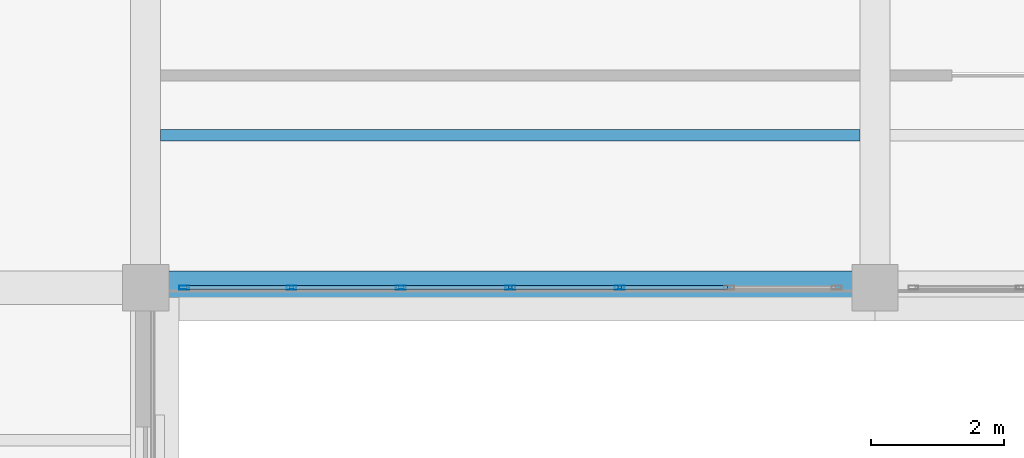
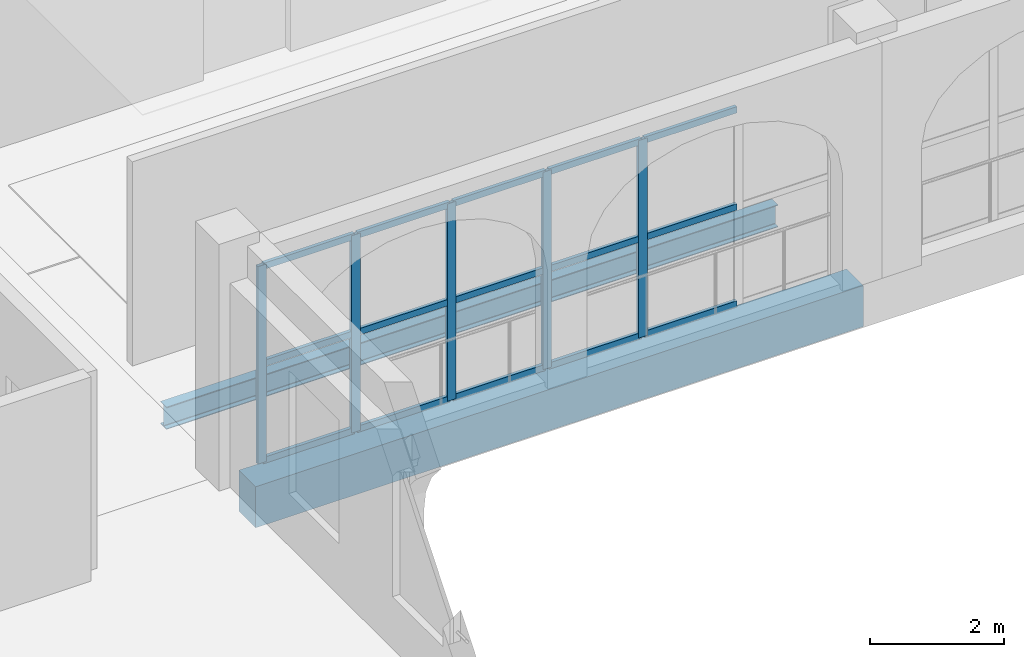
# One storey, part 49 of 156: 20 members, 2 beams, 1 element without a shape of its own.
"""IFC4 building model written with IfcOpenShell, lengths in metres."""

from ifc_helpers import new_model, si_unit, direction, frame, origin, origin_2d, place, context, subcontext, project, spatial, rectangle, hollow_rectangle, i_section, extrude, material, material_profile, profile_set, type_object, element, aggregate, save


model = new_model("IFC4")

# Units and contexts
model_context = context("Model", 3, precision=1e-05, world=origin(), true_north=direction((0.0, 1.0)))
body_context = subcontext(model_context, "Body", "Model", "MODEL_VIEW")
ifc_project = project(units=[si_unit("LENGTHUNIT", "METRE"), si_unit("AREAUNIT", "SQUARE_METRE"), si_unit("VOLUMEUNIT", "CUBIC_METRE"), si_unit("PLANEANGLEUNIT", "RADIAN"), si_unit("MASSUNIT", "GRAM", prefix="KILO")], contexts=[model_context])

# Site, building, storey
site_placement = place(None, origin())
site = spatial("IfcSite", under=ifc_project, at=site_placement, CompositionType="ELEMENT")
building_placement = place(site_placement, origin())
building = spatial("IfcBuilding", under=site, at=building_placement, Name="Caurita Quay Ferry Terminal", CompositionType="ELEMENT")
storey_placement = place(building_placement, frame((0.0, 0.0, 5.39990234375)))
storey = spatial("IfcBuildingStorey", under=building, at=storey_placement, Name="L01", CompositionType="ELEMENT", Elevation=5.39990234375)

# Beams
ifc_material_1 = material(Name="Structural steel ASTM A992 Gr. 50", Category="steel")
ifc_material_profile_1 = material_profile(ifc_material_1, i_section(OverallWidth=0.1787109375, OverallDepth=0.408935546875, WebThickness=0.0087890625, FlangeThickness=0.014404296875, FilletRadius=0.011474609375, at=origin_2d()), Name="W16X45")
ifc_profile_set_1 = profile_set([ifc_material_profile_1], Name="Structural steel ASTM A992 Gr. 50")
beam_type_1 = type_object("IfcBeamType", Name="BM-JS-W16A", PredefinedType="JOIST", material=ifc_profile_set_1)
beam_1_placement = place(storey_placement, frame((22.22509765625, 110.10009765625, -0.42431640625), z_axis=(1.0, 0.0, 0.0), x_axis=(0.0, 1.0, 0.0)))
element("IfcBeam", 1, at=beam_1_placement, inside=storey, type_object=beam_type_1, Name="L01 Beam JS-V5-L01-025", PredefinedType="JOIST", context=body_context, shape_type="SweptSolid", body=[
    extrude(i_section(OverallWidth=0.1787109375, OverallDepth=0.408935546875, WebThickness=0.0087890625, FlangeThickness=0.014404296875, FilletRadius=0.011474609375, at=origin_2d()), origin(), (0.0, 0.0, 1.0), 10.5498046875),
])
ifc_material_2 = material(Name="Reinforced concrete C35/45", Category="concrete")
ifc_material_profile_2 = material_profile(ifc_material_2, rectangle(XDim=0.5, YDim=0.75, at=origin_2d()), Name="RC-BM-500X750")
ifc_profile_set_2 = profile_set([ifc_material_profile_2], Name="Reinforced concrete C35/45")
beam_type_2 = type_object("IfcBeamType", Name="BM-RC-5075", PredefinedType="BEAM", material=ifc_profile_set_2)
beam_2_placement = place(storey_placement, frame((22.340087890625, 107.800048828125, -0.594970703125), z_axis=(1.0, 0.0, 0.0), x_axis=(0.0, 1.0, 0.0)))
element("IfcBeam", 2, at=beam_2_placement, inside=storey, type_object=beam_type_2, Name="L01 Beam BM-V5-L01-X-223-1078", PredefinedType="BEAM", context=body_context, shape_type="SweptSolid", body=[
    extrude(rectangle(XDim=0.5, YDim=0.75, at=origin_2d()), origin(), (0.0, 0.0, 1.0), 10.485107421875),
])

# Curtain wall, members
ifc_material_3 = material(Name="Laminated solar-control insulated glass", Category="glass")
curtain_wall_type = type_object("IfcCurtainWallType", Name="CW-SYS-23", PredefinedType="NOTDEFINED", material=ifc_material_3)
curtain_wall_placement = place(storey_placement, origin())
curtain_wall = element("IfcCurtainWall", 3, at=curtain_wall_placement, inside=storey, type_object=curtain_wall_type, Name="L01 Courtyard Cloister Storefront 160", PredefinedType="NOTDEFINED")
ifc_material_4 = material(Name="Anodized aluminium 6063-T6", Category="aluminium")
ifc_material_profile_3 = material_profile(ifc_material_4, hollow_rectangle(XDim=0.06005859375, YDim=0.14990234375, WallThickness=0.00341796875, at=origin_2d()), Name="ALU-MUL-60X150")
ifc_profile_set_3 = profile_set([ifc_material_profile_3], Name="Anodized aluminium 6063-T6")
member_type_1 = type_object("IfcMemberType", Name="CW-MUL-150", PredefinedType="MULLION", material=ifc_profile_set_3)
member_1_placement = place(storey_placement, frame((22.580078125, 107.800048828125, 0.0), z_axis=(0.0, 0.0, 1.0), x_axis=(0.0, 1.0, 0.0)))
member_1 = element("IfcMember", 4, at=member_1_placement, type_object=member_type_1, Name="CW-CRT-160 Mullion 1", PredefinedType="MULLION", context=body_context, shape_type="SweptSolid", body=[
    extrude(hollow_rectangle(XDim=0.06005859375, YDim=0.14990234375, WallThickness=0.00341796875, at=origin_2d()), origin(), (0.0, 0.0, 1.0), 3.60009765625),
])
member_2_placement = place(storey_placement, frame((24.199951171875, 107.800048828125, 0.0), z_axis=(0.0, 0.0, 1.0), x_axis=(0.0, 1.0, 0.0)))
member_2 = element("IfcMember", 5, at=member_2_placement, type_object=member_type_1, Name="CW-CRT-160 Mullion 2", PredefinedType="MULLION", context=body_context, shape_type="SweptSolid", body=[
    extrude(hollow_rectangle(XDim=0.06005859375, YDim=0.14990234375, WallThickness=0.00341796875, at=origin_2d()), origin(), (0.0, 0.0, 1.0), 3.60009765625),
])
member_3_placement = place(storey_placement, frame((25.85009765625, 107.800048828125, 0.0), z_axis=(0.0, 0.0, 1.0), x_axis=(0.0, 1.0, 0.0)))
member_3 = element("IfcMember", 6, at=member_3_placement, type_object=member_type_1, Name="CW-CRT-160 Mullion 3", PredefinedType="MULLION", context=body_context, shape_type="SweptSolid", body=[
    extrude(hollow_rectangle(XDim=0.06005859375, YDim=0.14990234375, WallThickness=0.00341796875, at=origin_2d()), origin(), (0.0, 0.0, 1.0), 3.60009765625),
])
member_4_placement = place(storey_placement, frame((27.5, 107.800048828125, 0.0), z_axis=(0.0, 0.0, 1.0), x_axis=(0.0, 1.0, 0.0)))
member_4 = element("IfcMember", 7, at=member_4_placement, type_object=member_type_1, Name="CW-CRT-160 Mullion 4", PredefinedType="MULLION", context=body_context, shape_type="SweptSolid", body=[
    extrude(hollow_rectangle(XDim=0.06005859375, YDim=0.14990234375, WallThickness=0.00341796875, at=origin_2d()), origin(), (0.0, 0.0, 1.0), 3.60009765625),
])
member_5_placement = place(storey_placement, frame((29.14990234375, 107.800048828125, 0.0), z_axis=(0.0, 0.0, 1.0), x_axis=(0.0, 1.0, 0.0)))
member_5 = element("IfcMember", 8, at=member_5_placement, type_object=member_type_1, Name="CW-CRT-160 Mullion 5", PredefinedType="MULLION", context=body_context, shape_type="SweptSolid", body=[
    extrude(hollow_rectangle(XDim=0.06005859375, YDim=0.14990234375, WallThickness=0.00341796875, at=origin_2d()), origin(), (0.0, 0.0, 1.0), 3.60009765625),
])
ifc_material_profile_4 = material_profile(ifc_material_4, hollow_rectangle(XDim=0.06005859375, YDim=0.114990234375, WallThickness=0.00341796875, at=origin_2d()), Name="ALU-TRN-60X115")
ifc_profile_set_4 = profile_set([ifc_material_profile_4], Name="Anodized aluminium 6063-T6")
member_type_2 = type_object("IfcMemberType", Name="CW-TRN-115", PredefinedType="USERDEFINED", material=ifc_profile_set_4)
member_6_placement = place(storey_placement, frame((22.60791015625, 107.800048828125, 0.030029296875), z_axis=(1.0, 0.0, 0.0), x_axis=(0.0, 1.0, 0.0)))
member_6 = element("IfcMember", 9, at=member_6_placement, type_object=member_type_2, Name="CW-CRT-160 Transom 1", ObjectType="TRANSOM", PredefinedType="USERDEFINED", context=body_context, shape_type="SweptSolid", body=[
    extrude(hollow_rectangle(XDim=0.06005859375, YDim=0.114990234375, WallThickness=0.00341796875, at=origin_2d()), origin(), (0.0, 0.0, 1.0), 1.564208984375),
])
member_7_placement = place(storey_placement, frame((22.60791015625, 107.800048828125, 1.800048828125), z_axis=(1.0, 0.0, 0.0), x_axis=(0.0, 1.0, 0.0)))
member_7 = element("IfcMember", 10, at=member_7_placement, type_object=member_type_2, Name="CW-CRT-160 Transom 2", ObjectType="TRANSOM", PredefinedType="USERDEFINED", context=body_context, shape_type="SweptSolid", body=[
    extrude(hollow_rectangle(XDim=0.06005859375, YDim=0.114990234375, WallThickness=0.00341796875, at=origin_2d()), origin(), (0.0, 0.0, 1.0), 1.564208984375),
])
member_8_placement = place(storey_placement, frame((22.60791015625, 107.800048828125, 3.570068359375), z_axis=(1.0, 0.0, 0.0), x_axis=(0.0, 1.0, 0.0)))
member_8 = element("IfcMember", 11, at=member_8_placement, type_object=member_type_2, Name="CW-CRT-160 Transom 3", ObjectType="TRANSOM", PredefinedType="USERDEFINED", context=body_context, shape_type="SweptSolid", body=[
    extrude(hollow_rectangle(XDim=0.06005859375, YDim=0.114990234375, WallThickness=0.00341796875, at=origin_2d()), origin(), (0.0, 0.0, 1.0), 1.564208984375),
])
member_9_placement = place(storey_placement, frame((24.22802734375, 107.800048828125, 0.030029296875), z_axis=(1.0, 0.0, 0.0), x_axis=(0.0, 1.0, 0.0)))
member_9 = element("IfcMember", 12, at=member_9_placement, type_object=member_type_2, Name="CW-CRT-160 Transom 4", ObjectType="TRANSOM", PredefinedType="USERDEFINED", context=body_context, shape_type="SweptSolid", body=[
    extrude(hollow_rectangle(XDim=0.06005859375, YDim=0.114990234375, WallThickness=0.00341796875, at=origin_2d()), origin(), (0.0, 0.0, 1.0), 1.593994140625),
])
member_10_placement = place(storey_placement, frame((24.22802734375, 107.800048828125, 1.800048828125), z_axis=(1.0, 0.0, 0.0), x_axis=(0.0, 1.0, 0.0)))
member_10 = element("IfcMember", 13, at=member_10_placement, type_object=member_type_2, Name="CW-CRT-160 Transom 5", ObjectType="TRANSOM", PredefinedType="USERDEFINED", context=body_context, shape_type="SweptSolid", body=[
    extrude(hollow_rectangle(XDim=0.06005859375, YDim=0.114990234375, WallThickness=0.00341796875, at=origin_2d()), origin(), (0.0, 0.0, 1.0), 1.593994140625),
])
member_11_placement = place(storey_placement, frame((24.22802734375, 107.800048828125, 3.570068359375), z_axis=(1.0, 0.0, 0.0), x_axis=(0.0, 1.0, 0.0)))
member_11 = element("IfcMember", 14, at=member_11_placement, type_object=member_type_2, Name="CW-CRT-160 Transom 6", ObjectType="TRANSOM", PredefinedType="USERDEFINED", context=body_context, shape_type="SweptSolid", body=[
    extrude(hollow_rectangle(XDim=0.06005859375, YDim=0.114990234375, WallThickness=0.00341796875, at=origin_2d()), origin(), (0.0, 0.0, 1.0), 1.593994140625),
])
member_12_placement = place(storey_placement, frame((25.8779296875, 107.800048828125, 0.030029296875), z_axis=(1.0, 0.0, 0.0), x_axis=(0.0, 1.0, 0.0)))
member_12 = element("IfcMember", 15, at=member_12_placement, type_object=member_type_2, Name="CW-CRT-160 Transom 7", ObjectType="TRANSOM", PredefinedType="USERDEFINED", context=body_context, shape_type="SweptSolid", body=[
    extrude(hollow_rectangle(XDim=0.06005859375, YDim=0.114990234375, WallThickness=0.00341796875, at=origin_2d()), origin(), (0.0, 0.0, 1.0), 1.593994140625),
])
member_13_placement = place(storey_placement, frame((25.8779296875, 107.800048828125, 1.800048828125), z_axis=(1.0, 0.0, 0.0), x_axis=(0.0, 1.0, 0.0)))
member_13 = element("IfcMember", 16, at=member_13_placement, type_object=member_type_2, Name="CW-CRT-160 Transom 8", ObjectType="TRANSOM", PredefinedType="USERDEFINED", context=body_context, shape_type="SweptSolid", body=[
    extrude(hollow_rectangle(XDim=0.06005859375, YDim=0.114990234375, WallThickness=0.00341796875, at=origin_2d()), origin(), (0.0, 0.0, 1.0), 1.593994140625),
])
member_14_placement = place(storey_placement, frame((25.8779296875, 107.800048828125, 3.570068359375), z_axis=(1.0, 0.0, 0.0), x_axis=(0.0, 1.0, 0.0)))
member_14 = element("IfcMember", 17, at=member_14_placement, type_object=member_type_2, Name="CW-CRT-160 Transom 9", ObjectType="TRANSOM", PredefinedType="USERDEFINED", context=body_context, shape_type="SweptSolid", body=[
    extrude(hollow_rectangle(XDim=0.06005859375, YDim=0.114990234375, WallThickness=0.00341796875, at=origin_2d()), origin(), (0.0, 0.0, 1.0), 1.593994140625),
])
member_15_placement = place(storey_placement, frame((27.528076171875, 107.800048828125, 0.030029296875), z_axis=(1.0, 0.0, 0.0), x_axis=(0.0, 1.0, 0.0)))
member_15 = element("IfcMember", 18, at=member_15_placement, type_object=member_type_2, Name="CW-CRT-160 Transom 10", ObjectType="TRANSOM", PredefinedType="USERDEFINED", context=body_context, shape_type="SweptSolid", body=[
    extrude(hollow_rectangle(XDim=0.06005859375, YDim=0.114990234375, WallThickness=0.00341796875, at=origin_2d()), origin(), (0.0, 0.0, 1.0), 1.593994140625),
])
member_16_placement = place(storey_placement, frame((27.528076171875, 107.800048828125, 1.800048828125), z_axis=(1.0, 0.0, 0.0), x_axis=(0.0, 1.0, 0.0)))
member_16 = element("IfcMember", 19, at=member_16_placement, type_object=member_type_2, Name="CW-CRT-160 Transom 11", ObjectType="TRANSOM", PredefinedType="USERDEFINED", context=body_context, shape_type="SweptSolid", body=[
    extrude(hollow_rectangle(XDim=0.06005859375, YDim=0.114990234375, WallThickness=0.00341796875, at=origin_2d()), origin(), (0.0, 0.0, 1.0), 1.593994140625),
])
member_17_placement = place(storey_placement, frame((27.528076171875, 107.800048828125, 3.570068359375), z_axis=(1.0, 0.0, 0.0), x_axis=(0.0, 1.0, 0.0)))
member_17 = element("IfcMember", 20, at=member_17_placement, type_object=member_type_2, Name="CW-CRT-160 Transom 12", ObjectType="TRANSOM", PredefinedType="USERDEFINED", context=body_context, shape_type="SweptSolid", body=[
    extrude(hollow_rectangle(XDim=0.06005859375, YDim=0.114990234375, WallThickness=0.00341796875, at=origin_2d()), origin(), (0.0, 0.0, 1.0), 1.593994140625),
])
member_18_placement = place(storey_placement, frame((29.177978515625, 107.800048828125, 0.030029296875), z_axis=(1.0, 0.0, 0.0), x_axis=(0.0, 1.0, 0.0)))
member_18 = element("IfcMember", 21, at=member_18_placement, type_object=member_type_2, Name="CW-CRT-160 Transom 13", ObjectType="TRANSOM", PredefinedType="USERDEFINED", context=body_context, shape_type="SweptSolid", body=[
    extrude(hollow_rectangle(XDim=0.06005859375, YDim=0.114990234375, WallThickness=0.00341796875, at=origin_2d()), origin(), (0.0, 0.0, 1.0), 1.593994140625),
])
member_19_placement = place(storey_placement, frame((29.177978515625, 107.800048828125, 1.800048828125), z_axis=(1.0, 0.0, 0.0), x_axis=(0.0, 1.0, 0.0)))
member_19 = element("IfcMember", 22, at=member_19_placement, type_object=member_type_2, Name="CW-CRT-160 Transom 14", ObjectType="TRANSOM", PredefinedType="USERDEFINED", context=body_context, shape_type="SweptSolid", body=[
    extrude(hollow_rectangle(XDim=0.06005859375, YDim=0.114990234375, WallThickness=0.00341796875, at=origin_2d()), origin(), (0.0, 0.0, 1.0), 1.593994140625),
])
member_20_placement = place(storey_placement, frame((29.177978515625, 107.800048828125, 3.570068359375), z_axis=(1.0, 0.0, 0.0), x_axis=(0.0, 1.0, 0.0)))
member_20 = element("IfcMember", 23, at=member_20_placement, type_object=member_type_2, Name="CW-CRT-160 Transom 15", ObjectType="TRANSOM", PredefinedType="USERDEFINED", context=body_context, shape_type="SweptSolid", body=[
    extrude(hollow_rectangle(XDim=0.06005859375, YDim=0.114990234375, WallThickness=0.00341796875, at=origin_2d()), origin(), (0.0, 0.0, 1.0), 1.593994140625),
])
aggregate(curtain_wall, [member_1, member_2, member_3, member_4, member_5, member_6, member_7, member_8, member_9, member_10, member_11, member_12, member_13, member_14, member_15, member_16, member_17, member_18, member_19, member_20])

save(model, "model.ifc")
